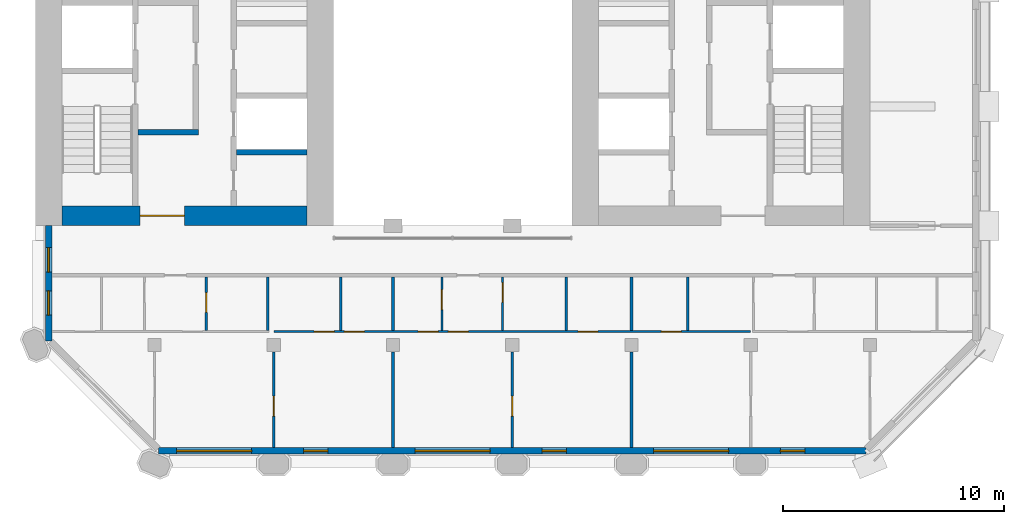
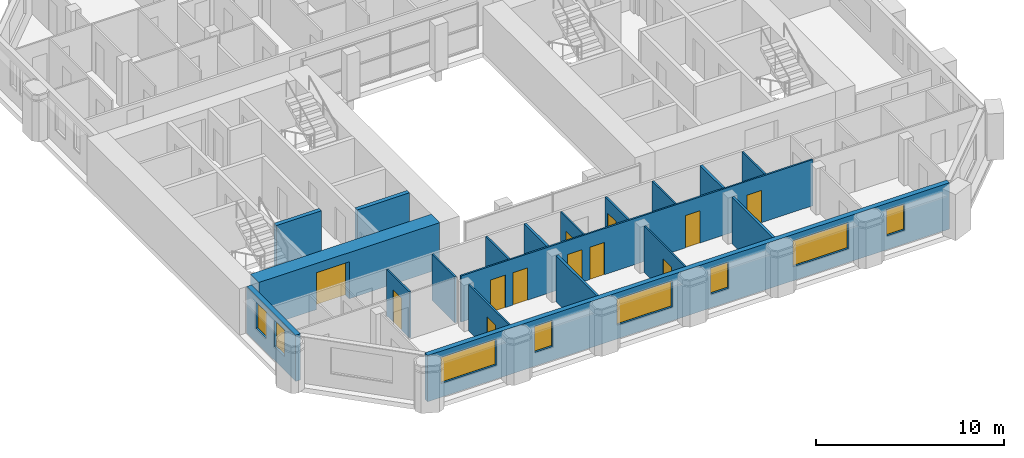
# One storey, part 4 of 13: 19 walls, 12 doors, 8 windows, 20 openings.
"""IFC4 building model written with IfcOpenShell, lengths in metres."""

from ifc_helpers import new_model, si_unit, direction, frame, frame_2d, origin, place, context, subcontext, project, spatial, rectangle, extrude, material, layer, layer_set, type_object, element, fill, save


model = new_model("IFC4")

# Units and contexts
model_context = context("Model", 3, precision=1e-05, world=origin(), true_north=direction((0.0, 1.0)))
body_context = subcontext(model_context, "Body", "Model", "MODEL_VIEW")
ifc_project = project(units=[si_unit("LENGTHUNIT", "METRE"), si_unit("AREAUNIT", "SQUARE_METRE"), si_unit("VOLUMEUNIT", "CUBIC_METRE"), si_unit("PLANEANGLEUNIT", "RADIAN"), si_unit("MASSUNIT", "GRAM", prefix="KILO")], contexts=[model_context])

# Site, building, storey
site_placement = place(None, origin())
site = spatial("IfcSite", under=ifc_project, at=site_placement, CompositionType="ELEMENT")
building_placement = place(site_placement, origin())
building = spatial("IfcBuilding", under=site, at=building_placement, Name="Tabaq Tower and Sports Hall", CompositionType="ELEMENT")
storey_placement = place(building_placement, frame((0.0, 0.0, 295.0)))
storey = spatial("IfcBuildingStorey", under=building, at=storey_placement, Name="L73", CompositionType="ELEMENT", Elevation=295.0)

# Wall, opening, door
ifc_material_1 = material(Name="Concrete C40/50", Category="concrete")
ifc_layer_1 = layer(ifc_material_1, 0.89990234375)
ifc_layer_set_1 = layer_set([ifc_layer_1], Name="Core wall 900 Concrete C40/50")
wall_type_1 = type_object("IfcWallType", Name="Core wall 900 Concrete C40/50", PredefinedType="SOLIDWALL", material=ifc_layer_set_1)
wall_1_placement = place(storey_placement, frame((17.699951171875, 16.64990234375, 0.0), z_axis=(0.0, 0.0, 1.0), x_axis=(-1.0, 0.0, 0.0)))
wall_1 = element("IfcWall", 1, at=wall_1_placement, inside=storey, type_object=wall_type_1, Name="Core wall W L73", PredefinedType="SOLIDWALL", context=body_context, shape_type="SweptSolid", body=[
    extrude(rectangle(XDim=11.099853515625, YDim=0.89990234375, at=frame_2d((5.5498046875, 0.0))), origin(), (0.0, 0.0, 1.0), 3.0),
])
opening_1_placement = place(wall_1_placement, frame((5.550048828125, 0.0, 0.0)))
opening_1 = element("IfcOpeningElement", 2, at=opening_1_placement, cuts=wall_1, Name="Opening PD-WL73-01", PredefinedType="OPENING", context=body_context, shape_type="SweptSolid", body=[
    extrude(rectangle(XDim=2.0, YDim=2.39990234375, at=frame_2d((1.0, 1.199951171875))), frame((0.0, 0.449951171875, 0.0), z_axis=(0.0, -1.0, 0.0), x_axis=(1.0, 0.0, 0.0)), (0.0, 0.0, 1.0), 0.89990234375),
])
ifc_material_2 = material(Name="Steel fire door", Category="steel")
door_type_1 = type_object("IfcDoorType", Name="Core entrance door 2000", OperationType="DOUBLE_DOOR_SINGLE_SWING", PredefinedType="DOOR", material=ifc_material_2)
door_1_placement = place(opening_1_placement, origin())
door_1 = element("IfcDoor", 3, at=door_1_placement, inside=storey, type_object=door_type_1, Name="Core entrance south W L73", OperationType="DOUBLE_DOOR_SINGLE_SWING", OverallHeight=2.39990234375, OverallWidth=2.0, PredefinedType="DOOR", context=body_context, shape_type="SweptSolid", body=[
    extrude(rectangle(XDim=2.0, YDim=2.39990234375, at=frame_2d((1.0, 1.199951171875))), frame((0.0, 0.02490234375, 0.0), z_axis=(0.0, -1.0, 0.0), x_axis=(1.0, 0.0, 0.0)), (0.0, 0.0, 1.0), 0.050048828125),
])
fill(opening_1, door_1)

ifc_material_3 = material(Name="Gypsum board on steel studs", Category="steel")
ifc_layer_2 = layer(ifc_material_3, 0.10009765625)
ifc_layer_set_2 = layer_set([ifc_layer_2], Name="Partition 100 Gypsum board")
wall_type_2 = type_object("IfcWallType", Name="Partition 100 Gypsum board", PredefinedType="PARTITIONING", material=ifc_layer_set_2)
wall_2_placement = place(storey_placement, frame((16.199951171875, 6.15087890625, 0.0), z_axis=(0.0, 0.0, 1.0), x_axis=(0.0, 1.0, 0.0)))
wall_2 = element("IfcWall", 4, at=wall_2_placement, inside=storey, type_object=wall_type_2, Name="Partition wall L73", PredefinedType="PARTITIONING", context=body_context, shape_type="SweptSolid", body=[
    extrude(rectangle(XDim=4.3291015625, YDim=0.10009765625, at=frame_2d((2.16455078125, 0.0))), origin(), (0.0, 0.0, 1.0), 3.0),
])
opening_2_placement = place(wall_2_placement, frame((1.424072265625, 0.0, 0.0)))
opening_2 = element("IfcOpeningElement", 5, at=opening_2_placement, cuts=wall_2, Name="Opening L73-056", PredefinedType="OPENING", context=body_context, shape_type="SweptSolid", body=[
    extrude(rectangle(XDim=0.89990234375, YDim=2.10009765625, at=frame_2d((0.449951171875, 1.050048828125))), frame((0.0, 0.050048828125, 0.0), z_axis=(0.0, -1.0, 0.0), x_axis=(1.0, 0.0, 0.0)), (0.0, 0.0, 1.0), 0.10009765625),
])
ifc_material_4 = material(Name="Timber leaf in steel frame", Category="steel")
door_type_2 = type_object("IfcDoorType", Name="Internal door 900 left hand", OperationType="SINGLE_SWING_LEFT", PredefinedType="DOOR", material=ifc_material_4)
door_2_placement = place(opening_2_placement, origin())
door_2 = element("IfcDoor", 6, at=door_2_placement, inside=storey, type_object=door_type_2, Name="Internal door L73-056", OperationType="SINGLE_SWING_LEFT", OverallHeight=2.10009765625, OverallWidth=0.89990234375, PredefinedType="DOOR", context=body_context, shape_type="SweptSolid", body=[
    extrude(rectangle(XDim=0.89990234375, YDim=2.10009765625, at=frame_2d((0.449951171875, 1.050048828125))), frame((0.0, 0.02490234375, 0.0), z_axis=(0.0, -1.0, 0.0), x_axis=(1.0, 0.0, 0.0)), (0.0, 0.0, 1.0), 0.050048828125),
])
fill(opening_2, door_2)

# Wall, openings, doors
wall_3_placement = place(storey_placement, frame((37.800048828125, 11.39990234375, 0.0), z_axis=(0.0, 0.0, 1.0), x_axis=(-1.0, 0.0, 0.0)))
wall_3 = element("IfcWall", 7, at=wall_3_placement, inside=storey, type_object=wall_type_2, Name="Partition wall L73", PredefinedType="PARTITIONING", context=body_context, shape_type="SweptSolid", body=[
    extrude(rectangle(XDim=21.60009765625, YDim=0.10009765625, at=frame_2d((10.800048828125, 0.0))), origin(), (0.0, 0.0, 1.0), 3.0),
])
opening_3_placement = place(wall_3_placement, frame((18.8701171875, 0.0, 0.0)))
opening_3 = element("IfcOpeningElement", 8, at=opening_3_placement, cuts=wall_3, Name="Opening L73-019", PredefinedType="OPENING", context=body_context, shape_type="SweptSolid", body=[
    extrude(rectangle(XDim=0.89990234375, YDim=2.10009765625, at=frame_2d((0.449951171875, 1.050048828125))), frame((0.0, 0.050048828125, 0.0), z_axis=(0.0, -1.0, 0.0), x_axis=(1.0, 0.0, 0.0)), (0.0, 0.0, 1.0), 0.10009765625),
])
opening_4_placement = place(wall_3_placement, frame((17.5, 0.0, 0.0)))
opening_4 = element("IfcOpeningElement", 9, at=opening_4_placement, cuts=wall_3, Name="Opening L73-020", PredefinedType="OPENING", context=body_context, shape_type="SweptSolid", body=[
    extrude(rectangle(XDim=0.89990234375, YDim=2.10009765625, at=frame_2d((0.449951171875, 1.050048828125))), frame((0.0, 0.050048828125, 0.0), z_axis=(0.0, -1.0, 0.0), x_axis=(1.0, 0.0, 0.0)), (0.0, 0.0, 1.0), 0.10009765625),
])
opening_5_placement = place(wall_3_placement, frame((6.916748046875, 0.0, 0.0)))
opening_5 = element("IfcOpeningElement", 10, at=opening_5_placement, cuts=wall_3, Name="Opening L73-023", PredefinedType="OPENING", context=body_context, shape_type="SweptSolid", body=[
    extrude(rectangle(XDim=0.89990234375, YDim=2.10009765625, at=frame_2d((0.449951171875, 1.050048828125))), frame((0.0, 0.050048828125, 0.0), z_axis=(0.0, -1.0, 0.0), x_axis=(1.0, 0.0, 0.0)), (0.0, 0.0, 1.0), 0.10009765625),
])
opening_6_placement = place(wall_3_placement, frame((3.14990234375, 0.0, 0.0)))
opening_6 = element("IfcOpeningElement", 11, at=opening_6_placement, cuts=wall_3, Name="Opening L73-025", PredefinedType="OPENING", context=body_context, shape_type="SweptSolid", body=[
    extrude(rectangle(XDim=0.89990234375, YDim=2.10009765625, at=frame_2d((0.449951171875, 1.050048828125))), frame((0.0, 0.050048828125, 0.0), z_axis=(0.0, -1.0, 0.0), x_axis=(1.0, 0.0, 0.0)), (0.0, 0.0, 1.0), 0.10009765625),
])
opening_7_placement = place(wall_3_placement, frame((14.157958984375, 0.0, 0.0)))
opening_7 = element("IfcOpeningElement", 12, at=opening_7_placement, cuts=wall_3, Name="Opening L73-049", PredefinedType="OPENING", context=body_context, shape_type="SweptSolid", body=[
    extrude(rectangle(XDim=0.89990234375, YDim=2.10009765625, at=frame_2d((0.449951171875, 1.050048828125))), frame((0.0, 0.050048828125, 0.0), z_axis=(0.0, -1.0, 0.0), x_axis=(1.0, 0.0, 0.0)), (0.0, 0.0, 1.0), 0.10009765625),
])
opening_8_placement = place(wall_3_placement, frame((12.7880859375, 0.0, 0.0)))
opening_8 = element("IfcOpeningElement", 13, at=opening_8_placement, cuts=wall_3, Name="Opening L73-058", PredefinedType="OPENING", context=body_context, shape_type="SweptSolid", body=[
    extrude(rectangle(XDim=0.89990234375, YDim=2.10009765625, at=frame_2d((0.449951171875, 1.050048828125))), frame((0.0, 0.050048828125, 0.0), z_axis=(0.0, -1.0, 0.0), x_axis=(1.0, 0.0, 0.0)), (0.0, 0.0, 1.0), 0.10009765625),
])
door_3_placement = place(opening_3_placement, origin())
door_3 = element("IfcDoor", 14, at=door_3_placement, inside=storey, type_object=door_type_2, Name="Internal door L73-019", OperationType="SINGLE_SWING_LEFT", OverallHeight=2.10009765625, OverallWidth=0.89990234375, PredefinedType="DOOR", context=body_context, shape_type="SweptSolid", body=[
    extrude(rectangle(XDim=0.89990234375, YDim=2.10009765625, at=frame_2d((0.449951171875, 1.050048828125))), frame((0.0, 0.02490234375, 0.0), z_axis=(0.0, -1.0, 0.0), x_axis=(1.0, 0.0, 0.0)), (0.0, 0.0, 1.0), 0.050048828125),
])
fill(opening_3, door_3)
door_4_placement = place(opening_5_placement, origin())
door_4 = element("IfcDoor", 15, at=door_4_placement, inside=storey, type_object=door_type_2, Name="Internal door L73-023", OperationType="SINGLE_SWING_LEFT", OverallHeight=2.10009765625, OverallWidth=0.89990234375, PredefinedType="DOOR", context=body_context, shape_type="SweptSolid", body=[
    extrude(rectangle(XDim=0.89990234375, YDim=2.10009765625, at=frame_2d((0.449951171875, 1.050048828125))), frame((0.0, 0.02490234375, 0.0), z_axis=(0.0, -1.0, 0.0), x_axis=(1.0, 0.0, 0.0)), (0.0, 0.0, 1.0), 0.050048828125),
])
fill(opening_5, door_4)
door_5_placement = place(opening_8_placement, origin())
door_5 = element("IfcDoor", 16, at=door_5_placement, inside=storey, type_object=door_type_2, Name="Internal door L73-058", OperationType="SINGLE_SWING_LEFT", OverallHeight=2.10009765625, OverallWidth=0.89990234375, PredefinedType="DOOR", context=body_context, shape_type="SweptSolid", body=[
    extrude(rectangle(XDim=0.89990234375, YDim=2.10009765625, at=frame_2d((0.449951171875, 1.050048828125))), frame((0.0, 0.02490234375, 0.0), z_axis=(0.0, -1.0, 0.0), x_axis=(1.0, 0.0, 0.0)), (0.0, 0.0, 1.0), 0.050048828125),
])
fill(opening_8, door_5)
ifc_material_5 = material(Name="Timber leaf in steel frame", Category="steel")
door_type_3 = type_object("IfcDoorType", Name="Internal door 900 right hand", OperationType="SINGLE_SWING_RIGHT", PredefinedType="DOOR", material=ifc_material_5)
door_6_placement = place(opening_4_placement, origin())
door_6 = element("IfcDoor", 17, at=door_6_placement, inside=storey, type_object=door_type_3, Name="Internal door L73-020", OperationType="SINGLE_SWING_RIGHT", OverallHeight=2.10009765625, OverallWidth=0.89990234375, PredefinedType="DOOR", context=body_context, shape_type="SweptSolid", body=[
    extrude(rectangle(XDim=0.89990234375, YDim=2.10009765625, at=frame_2d((0.449951171875, 1.050048828125))), frame((0.0, 0.02490234375, 0.0), z_axis=(0.0, -1.0, 0.0), x_axis=(1.0, 0.0, 0.0)), (0.0, 0.0, 1.0), 0.050048828125),
])
fill(opening_4, door_6)
door_7_placement = place(opening_6_placement, origin())
door_7 = element("IfcDoor", 18, at=door_7_placement, inside=storey, type_object=door_type_3, Name="Internal door L73-025", OperationType="SINGLE_SWING_RIGHT", OverallHeight=2.10009765625, OverallWidth=0.89990234375, PredefinedType="DOOR", context=body_context, shape_type="SweptSolid", body=[
    extrude(rectangle(XDim=0.89990234375, YDim=2.10009765625, at=frame_2d((0.449951171875, 1.050048828125))), frame((0.0, 0.02490234375, 0.0), z_axis=(0.0, -1.0, 0.0), x_axis=(1.0, 0.0, 0.0)), (0.0, 0.0, 1.0), 0.050048828125),
])
fill(opening_6, door_7)
door_8_placement = place(opening_7_placement, origin())
door_8 = element("IfcDoor", 19, at=door_8_placement, inside=storey, type_object=door_type_3, Name="Internal door L73-049", OperationType="SINGLE_SWING_RIGHT", OverallHeight=2.10009765625, OverallWidth=0.89990234375, PredefinedType="DOOR", context=body_context, shape_type="SweptSolid", body=[
    extrude(rectangle(XDim=0.89990234375, YDim=2.10009765625, at=frame_2d((0.449951171875, 1.050048828125))), frame((0.0, 0.02490234375, 0.0), z_axis=(0.0, -1.0, 0.0), x_axis=(1.0, 0.0, 0.0)), (0.0, 0.0, 1.0), 0.050048828125),
])
fill(opening_7, door_8)

# Wall, opening, door
wall_4_placement = place(storey_placement, frame((13.139892578125, 11.449951171875, 0.0), z_axis=(0.0, 0.0, 1.0), x_axis=(0.0, 1.0, 0.0)))
wall_4 = element("IfcWall", 20, at=wall_4_placement, inside=storey, type_object=wall_type_2, Name="Partition wall L73", PredefinedType="PARTITIONING", context=body_context, shape_type="SweptSolid", body=[
    extrude(rectangle(XDim=2.425048828125, YDim=0.10009765625, at=frame_2d((1.21240234375, 0.0))), origin(), (0.0, 0.0, 1.0), 3.0),
])
opening_9_placement = place(wall_4_placement, frame((0.819091796875, 0.0, 0.0)))
opening_9 = element("IfcOpeningElement", 21, at=opening_9_placement, cuts=wall_4, Name="Opening L73-022", PredefinedType="OPENING", context=body_context, shape_type="SweptSolid", body=[
    extrude(rectangle(XDim=0.89990234375, YDim=2.10009765625, at=frame_2d((0.449951171875, 1.050048828125))), frame((0.0, 0.050048828125, 0.0), z_axis=(0.0, -1.0, 0.0), x_axis=(1.0, 0.0, 0.0)), (0.0, 0.0, 1.0), 0.10009765625),
])
door_9_placement = place(opening_9_placement, origin())
door_9 = element("IfcDoor", 22, at=door_9_placement, inside=storey, type_object=door_type_2, Name="Internal door L73-022", OperationType="SINGLE_SWING_LEFT", OverallHeight=2.10009765625, OverallWidth=0.89990234375, PredefinedType="DOOR", context=body_context, shape_type="SweptSolid", body=[
    extrude(rectangle(XDim=0.89990234375, YDim=2.10009765625, at=frame_2d((0.449951171875, 1.050048828125))), frame((0.0, 0.02490234375, 0.0), z_axis=(0.0, -1.0, 0.0), x_axis=(1.0, 0.0, 0.0)), (0.0, 0.0, 1.0), 0.050048828125),
])
fill(opening_9, door_9)

# Walls
for number, where, z_axis, x_axis, name in (
    (23, (15.929931640625, 11.449951171875, 0.0), (0.0, 0.0, 1.0), (0.0, 1.0, 0.0), "Partition wall L73"),
    (24, (19.22998046875, 11.449951171875, 0.0), (0.0, 0.0, 1.0), (0.0, 1.0, 0.0), "Partition wall L73"),
):
    element("IfcWall", number, at=place(storey_placement, frame(where, z_axis=z_axis, x_axis=x_axis)), inside=storey, type_object=wall_type_2, Name=name, PredefinedType="PARTITIONING", context=body_context, shape_type="SweptSolid", body=[
        extrude(rectangle(XDim=2.425048828125, YDim=0.10009765625, at=frame_2d((1.21240234375, 0.0))), origin(), (0.0, 0.0, 1.0), 3.0),
    ])

# Wall, opening, door
wall_5_placement = place(storey_placement, frame((27.0, 6.15087890625, 0.0), z_axis=(0.0, 0.0, 1.0), x_axis=(0.0, 1.0, 0.0)))
wall_5 = element("IfcWall", 25, at=wall_5_placement, inside=storey, type_object=wall_type_2, Name="Partition wall L73", PredefinedType="PARTITIONING", context=body_context, shape_type="SweptSolid", body=[
    extrude(rectangle(XDim=4.3291015625, YDim=0.10009765625, at=frame_2d((2.16455078125, 0.0))), origin(), (0.0, 0.0, 1.0), 3.0),
])
opening_10_placement = place(wall_5_placement, frame((1.424072265625, 0.0, 0.0)))
opening_10 = element("IfcOpeningElement", 26, at=opening_10_placement, cuts=wall_5, Name="Opening L73-048", PredefinedType="OPENING", context=body_context, shape_type="SweptSolid", body=[
    extrude(rectangle(XDim=0.89990234375, YDim=2.10009765625, at=frame_2d((0.449951171875, 1.050048828125))), frame((0.0, 0.050048828125, 0.0), z_axis=(0.0, -1.0, 0.0), x_axis=(1.0, 0.0, 0.0)), (0.0, 0.0, 1.0), 0.10009765625),
])
door_10_placement = place(opening_10_placement, origin())
door_10 = element("IfcDoor", 27, at=door_10_placement, inside=storey, type_object=door_type_3, Name="Internal door L73-048", OperationType="SINGLE_SWING_RIGHT", OverallHeight=2.10009765625, OverallWidth=0.89990234375, PredefinedType="DOOR", context=body_context, shape_type="SweptSolid", body=[
    extrude(rectangle(XDim=0.89990234375, YDim=2.10009765625, at=frame_2d((0.449951171875, 1.050048828125))), frame((0.0, 0.02490234375, 0.0), z_axis=(0.0, -1.0, 0.0), x_axis=(1.0, 0.0, 0.0)), (0.0, 0.0, 1.0), 0.050048828125),
])
fill(opening_10, door_10)

wall_6_placement = place(storey_placement, frame((23.81201171875, 11.449951171875, 0.0), z_axis=(0.0, 0.0, 1.0), x_axis=(0.0, 1.0, 0.0)))
wall_6 = element("IfcWall", 28, at=wall_6_placement, inside=storey, type_object=wall_type_2, Name="Partition wall L73", PredefinedType="PARTITIONING", context=body_context, shape_type="SweptSolid", body=[
    extrude(rectangle(XDim=2.425048828125, YDim=0.10009765625, at=frame_2d((1.21240234375, 0.0))), origin(), (0.0, 0.0, 1.0), 3.0),
])
opening_11_placement = place(wall_6_placement, frame((0.949951171875, 0.0, 0.0)))
opening_11 = element("IfcOpeningElement", 29, at=opening_11_placement, cuts=wall_6, Name="Opening L73-050", PredefinedType="OPENING", context=body_context, shape_type="SweptSolid", body=[
    extrude(rectangle(XDim=0.89990234375, YDim=2.10009765625, at=frame_2d((0.449951171875, 1.050048828125))), frame((0.0, 0.050048828125, 0.0), z_axis=(0.0, -1.0, 0.0), x_axis=(1.0, 0.0, 0.0)), (0.0, 0.0, 1.0), 0.10009765625),
])
door_11_placement = place(opening_11_placement, origin())
door_11 = element("IfcDoor", 30, at=door_11_placement, inside=storey, type_object=door_type_2, Name="Internal door L73-050", OperationType="SINGLE_SWING_LEFT", OverallHeight=2.10009765625, OverallWidth=0.89990234375, PredefinedType="DOOR", context=body_context, shape_type="SweptSolid", body=[
    extrude(rectangle(XDim=0.89990234375, YDim=2.10009765625, at=frame_2d((0.449951171875, 1.050048828125))), frame((0.0, 0.02490234375, 0.0), z_axis=(0.0, -1.0, 0.0), x_axis=(1.0, 0.0, 0.0)), (0.0, 0.0, 1.0), 0.050048828125),
])
fill(opening_11, door_11)

wall_7_placement = place(storey_placement, frame((26.56201171875, 11.449951171875, 0.0), z_axis=(0.0, 0.0, 1.0), x_axis=(0.0, 1.0, 0.0)))
wall_7 = element("IfcWall", 31, at=wall_7_placement, inside=storey, type_object=wall_type_2, Name="Partition wall L73", PredefinedType="PARTITIONING", context=body_context, shape_type="SweptSolid", body=[
    extrude(rectangle(XDim=2.425048828125, YDim=0.10009765625, at=frame_2d((1.21240234375, 0.0))), origin(), (0.0, 0.0, 1.0), 3.0),
])
opening_12_placement = place(wall_7_placement, frame((1.27490234375, 0.0, 0.0)))
opening_12 = element("IfcOpeningElement", 32, at=opening_12_placement, cuts=wall_7, Name="Opening L73-024", PredefinedType="OPENING", context=body_context, shape_type="SweptSolid", body=[
    extrude(rectangle(XDim=0.89990234375, YDim=2.10009765625, at=frame_2d((0.449951171875, 1.050048828125))), frame((0.0, 0.050048828125, 0.0), z_axis=(0.0, -1.0, 0.0), x_axis=(1.0, 0.0, 0.0)), (0.0, 0.0, 1.0), 0.10009765625),
])
door_12_placement = place(opening_12_placement, origin())
door_12 = element("IfcDoor", 33, at=door_12_placement, inside=storey, type_object=door_type_2, Name="Internal door L73-024", OperationType="SINGLE_SWING_LEFT", OverallHeight=2.10009765625, OverallWidth=0.89990234375, PredefinedType="DOOR", context=body_context, shape_type="SweptSolid", body=[
    extrude(rectangle(XDim=0.89990234375, YDim=2.10009765625, at=frame_2d((0.449951171875, 1.050048828125))), frame((0.0, 0.02490234375, 0.0), z_axis=(0.0, -1.0, 0.0), x_axis=(1.0, 0.0, 0.0)), (0.0, 0.0, 1.0), 0.050048828125),
])
fill(opening_12, door_12)

# Walls
for number, where, z_axis, x_axis, name in (
    (34, (29.449951171875, 11.449951171875, 0.0), (0.0, 0.0, 1.0), (0.0, 1.0, 0.0), "Partition wall L73"),
    (35, (34.949951171875, 11.449951171875, 0.0), (0.0, 0.0, 1.0), (0.0, 1.0, 0.0), "Partition wall L73"),
):
    element("IfcWall", number, at=place(storey_placement, frame(where, z_axis=z_axis, x_axis=x_axis)), inside=storey, type_object=wall_type_2, Name=name, PredefinedType="PARTITIONING", context=body_context, shape_type="SweptSolid", body=[
        extrude(rectangle(XDim=2.425048828125, YDim=0.10009765625, at=frame_2d((1.21240234375, 0.0))), origin(), (0.0, 0.0, 1.0), 3.0),
    ])
ifc_material_6 = material(Name="Blockwork", Category="masonry")
ifc_layer_3 = layer(ifc_material_6, 0.14990234375)
ifc_layer_set_3 = layer_set([ifc_layer_3], Name="Separating wall 150 Blockwork")
wall_type_3 = type_object("IfcWallType", Name="Separating wall 150 Blockwork", PredefinedType="PARTITIONING", material=ifc_layer_set_3)
wall_8_placement = place(storey_placement, frame((21.60009765625, 6.15087890625, 0.0), z_axis=(0.0, 0.0, 1.0), x_axis=(0.0, 1.0, 0.0)))
element("IfcWall", 36, at=wall_8_placement, inside=storey, type_object=wall_type_3, Name="Separating wall L73", PredefinedType="PARTITIONING", context=body_context, shape_type="SweptSolid", body=[
    extrude(rectangle(XDim=4.3291015625, YDim=0.14990234375, at=frame_2d((2.16455078125, 0.0))), origin(), (0.0, 0.0, 1.0), 3.0),
])
wall_9_placement = place(storey_placement, frame((21.60009765625, 11.449951171875, 0.0), z_axis=(0.0, 0.0, 1.0), x_axis=(0.0, 1.0, 0.0)))
element("IfcWall", 37, at=wall_9_placement, inside=storey, type_object=wall_type_3, Name="Separating wall L73", PredefinedType="PARTITIONING", context=body_context, shape_type="SweptSolid", body=[
    extrude(rectangle(XDim=2.425048828125, YDim=0.14990234375, at=frame_2d((1.21240234375, 0.0))), origin(), (0.0, 0.0, 1.0), 3.0),
])
wall_10_placement = place(storey_placement, frame((32.39990234375, 6.15087890625, 0.0), z_axis=(0.0, 0.0, 1.0), x_axis=(0.0, 1.0, 0.0)))
element("IfcWall", 38, at=wall_10_placement, inside=storey, type_object=wall_type_3, Name="Separating wall L73", PredefinedType="PARTITIONING", context=body_context, shape_type="SweptSolid", body=[
    extrude(rectangle(XDim=4.3291015625, YDim=0.14990234375, at=frame_2d((2.16455078125, 0.0))), origin(), (0.0, 0.0, 1.0), 3.0),
])
wall_11_placement = place(storey_placement, frame((32.39990234375, 11.449951171875, 0.0), z_axis=(0.0, 0.0, 1.0), x_axis=(0.0, 1.0, 0.0)))
element("IfcWall", 39, at=wall_11_placement, inside=storey, type_object=wall_type_3, Name="Separating wall L73", PredefinedType="PARTITIONING", context=body_context, shape_type="SweptSolid", body=[
    extrude(rectangle(XDim=2.425048828125, YDim=0.14990234375, at=frame_2d((1.21240234375, 0.0))), origin(), (0.0, 0.0, 1.0), 3.0),
])
ifc_material_7 = material(Name="Concrete C40/50", Category="concrete")
ifc_layer_4 = layer(ifc_material_7, 0.25)
ifc_layer_set_4 = layer_set([ifc_layer_4], Name="Shaft and stair wall 250 Concrete C40/50")
wall_type_4 = type_object("IfcWallType", Name="Shaft and stair wall 250 Concrete C40/50", PredefinedType="SOLIDWALL", material=ifc_layer_set_4)
wall_12_placement = place(storey_placement, frame((10.050048828125, 20.425048828125, 0.0), z_axis=(0.0, 0.0, 1.0), x_axis=(1.0, 0.0, 0.0)))
element("IfcWall", 40, at=wall_12_placement, inside=storey, type_object=wall_type_4, Name="Fire-fighting lobby wall W L73", PredefinedType="SOLIDWALL", context=body_context, shape_type="SweptSolid", body=[
    extrude(rectangle(XDim=2.75, YDim=0.25, at=frame_2d((1.375, 0.0))), origin(), (0.0, 0.0, 1.0), 3.0),
])
wall_13_placement = place(storey_placement, frame((14.5, 19.52490234375, 0.0), z_axis=(0.0, 0.0, 1.0), x_axis=(1.0, 0.0, 0.0)))
element("IfcWall", 41, at=wall_13_placement, inside=storey, type_object=wall_type_4, Name="Shaft wall W L73", PredefinedType="SOLIDWALL", context=body_context, shape_type="SweptSolid", body=[
    extrude(rectangle(XDim=3.199951171875, YDim=0.25, at=frame_2d((1.60009765625, 0.0))), origin(), (0.0, 0.0, 1.0), 3.0),
])

# Wall, openings, windows
ifc_material_8 = material(Name="White precast concrete C60/75", Category="concrete")
ifc_layer_5 = layer(ifc_material_8, 0.300048828125)
ifc_layer_set_5 = layer_set([ifc_layer_5], Name="White precast concrete C60/75 external wall 300")
wall_type_5 = type_object("IfcWallType", Name="White precast concrete C60/75 external wall 300", PredefinedType="SOLIDWALL", material=ifc_layer_set_5)
wall_14_placement = place(storey_placement, frame((10.986328125, 6.0, 0.0), z_axis=(0.0, 0.0, 1.0), x_axis=(1.0, 0.0, 0.0)))
wall_14 = element("IfcWall", 42, at=wall_14_placement, inside=storey, type_object=wall_type_5, Name="External Wall L73 S", PredefinedType="SOLIDWALL", context=body_context, shape_type="SweptSolid", body=[
    extrude(rectangle(XDim=32.02734375, YDim=0.300048828125, at=frame_2d((16.013671875, 0.0))), origin(), (0.0, 0.0, 1.0), 3.0),
])
opening_13_placement = place(wall_14_placement, frame((0.813720703125, 0.0, 0.89990234375)))
opening_13 = element("IfcOpeningElement", 43, at=opening_13_placement, cuts=wall_14, Name="Opening W1A", PredefinedType="OPENING", context=body_context, shape_type="SweptSolid", body=[
    extrude(rectangle(XDim=3.39990234375, YDim=1.699951171875, at=frame_2d((1.699951171875, 0.85009765625))), frame((0.0, 0.16015625, 0.0), z_axis=(0.0, -1.0, 0.0), x_axis=(1.0, 0.0, 0.0)), (0.0, 0.0, 1.0), 0.320068359375),
])
opening_14_placement = place(wall_14_placement, frame((6.563720703125, 0.0, 0.89990234375)))
opening_14 = element("IfcOpeningElement", 44, at=opening_14_placement, cuts=wall_14, Name="Opening W1B", PredefinedType="OPENING", context=body_context, shape_type="SweptSolid", body=[
    extrude(rectangle(XDim=1.10009765625, YDim=1.699951171875, at=frame_2d((0.550048828125, 0.85009765625))), frame((0.0, 0.16015625, 0.0), z_axis=(0.0, -1.0, 0.0), x_axis=(1.0, 0.0, 0.0)), (0.0, 0.0, 1.0), 0.320068359375),
])
opening_15_placement = place(wall_14_placement, frame((11.613525390625, 0.0, 0.89990234375)))
opening_15 = element("IfcOpeningElement", 45, at=opening_15_placement, cuts=wall_14, Name="Opening W1A", PredefinedType="OPENING", context=body_context, shape_type="SweptSolid", body=[
    extrude(rectangle(XDim=3.39990234375, YDim=1.699951171875, at=frame_2d((1.699951171875, 0.85009765625))), frame((0.0, 0.16015625, 0.0), z_axis=(0.0, -1.0, 0.0), x_axis=(1.0, 0.0, 0.0)), (0.0, 0.0, 1.0), 0.320068359375),
])
opening_16_placement = place(wall_14_placement, frame((17.363525390625, 0.0, 0.89990234375)))
opening_16 = element("IfcOpeningElement", 46, at=opening_16_placement, cuts=wall_14, Name="Opening W1B", PredefinedType="OPENING", context=body_context, shape_type="SweptSolid", body=[
    extrude(rectangle(XDim=1.10009765625, YDim=1.699951171875, at=frame_2d((0.550048828125, 0.85009765625))), frame((0.0, 0.16015625, 0.0), z_axis=(0.0, -1.0, 0.0), x_axis=(1.0, 0.0, 0.0)), (0.0, 0.0, 1.0), 0.320068359375),
])
opening_17_placement = place(wall_14_placement, frame((22.41357421875, 0.0, 0.89990234375)))
opening_17 = element("IfcOpeningElement", 47, at=opening_17_placement, cuts=wall_14, Name="Opening W1A", PredefinedType="OPENING", context=body_context, shape_type="SweptSolid", body=[
    extrude(rectangle(XDim=3.39990234375, YDim=1.699951171875, at=frame_2d((1.699951171875, 0.85009765625))), frame((0.0, 0.16015625, 0.0), z_axis=(0.0, -1.0, 0.0), x_axis=(1.0, 0.0, 0.0)), (0.0, 0.0, 1.0), 0.320068359375),
])
opening_18_placement = place(wall_14_placement, frame((28.16357421875, 0.0, 0.89990234375)))
opening_18 = element("IfcOpeningElement", 48, at=opening_18_placement, cuts=wall_14, Name="Opening W1B", PredefinedType="OPENING", context=body_context, shape_type="SweptSolid", body=[
    extrude(rectangle(XDim=1.10009765625, YDim=1.699951171875, at=frame_2d((0.550048828125, 0.85009765625))), frame((0.0, 0.16015625, 0.0), z_axis=(0.0, -1.0, 0.0), x_axis=(1.0, 0.0, 0.0)), (0.0, 0.0, 1.0), 0.320068359375),
])
ifc_material_9 = material(Name="Aluminium framed clear glazing", Category="aluminium")
window_type_1 = type_object("IfcWindowType", Name="Window W1A", PartitioningType="SINGLE_PANEL", PredefinedType="WINDOW", material=ifc_material_9)
window_1_placement = place(opening_13_placement, origin())
window_1 = element("IfcWindow", 49, at=window_1_placement, inside=storey, type_object=window_type_1, Name="Window W1A L73", OverallHeight=1.699951171875, OverallWidth=3.39990234375, PartitioningType="SINGLE_PANEL", PredefinedType="WINDOW", context=body_context, shape_type="SweptSolid", body=[
    extrude(rectangle(XDim=3.39990234375, YDim=1.699951171875, at=frame_2d((1.699951171875, 0.85009765625))), frame((0.0, 0.030029296875, 0.0), z_axis=(0.0, -1.0, 0.0), x_axis=(1.0, 0.0, 0.0)), (0.0, 0.0, 1.0), 0.06005859375),
])
fill(opening_13, window_1)
window_2_placement = place(opening_15_placement, origin())
window_2 = element("IfcWindow", 50, at=window_2_placement, inside=storey, type_object=window_type_1, Name="Window W1A L73", OverallHeight=1.699951171875, OverallWidth=3.39990234375, PartitioningType="SINGLE_PANEL", PredefinedType="WINDOW", context=body_context, shape_type="SweptSolid", body=[
    extrude(rectangle(XDim=3.39990234375, YDim=1.699951171875, at=frame_2d((1.699951171875, 0.85009765625))), frame((0.0, 0.030029296875, 0.0), z_axis=(0.0, -1.0, 0.0), x_axis=(1.0, 0.0, 0.0)), (0.0, 0.0, 1.0), 0.06005859375),
])
fill(opening_15, window_2)
window_3_placement = place(opening_17_placement, origin())
window_3 = element("IfcWindow", 51, at=window_3_placement, inside=storey, type_object=window_type_1, Name="Window W1A L73", OverallHeight=1.699951171875, OverallWidth=3.39990234375, PartitioningType="SINGLE_PANEL", PredefinedType="WINDOW", context=body_context, shape_type="SweptSolid", body=[
    extrude(rectangle(XDim=3.39990234375, YDim=1.699951171875, at=frame_2d((1.699951171875, 0.85009765625))), frame((0.0, 0.030029296875, 0.0), z_axis=(0.0, -1.0, 0.0), x_axis=(1.0, 0.0, 0.0)), (0.0, 0.0, 1.0), 0.06005859375),
])
fill(opening_17, window_3)
ifc_material_10 = material(Name="Aluminium framed clear glazing", Category="aluminium")
window_type_2 = type_object("IfcWindowType", Name="Window W1B", PartitioningType="SINGLE_PANEL", PredefinedType="WINDOW", material=ifc_material_10)
window_4_placement = place(opening_14_placement, origin())
window_4 = element("IfcWindow", 52, at=window_4_placement, inside=storey, type_object=window_type_2, Name="Window W1B L73", OverallHeight=1.699951171875, OverallWidth=1.10009765625, PartitioningType="SINGLE_PANEL", PredefinedType="WINDOW", context=body_context, shape_type="SweptSolid", body=[
    extrude(rectangle(XDim=1.10009765625, YDim=1.699951171875, at=frame_2d((0.550048828125, 0.85009765625))), frame((0.0, 0.030029296875, 0.0), z_axis=(0.0, -1.0, 0.0), x_axis=(1.0, 0.0, 0.0)), (0.0, 0.0, 1.0), 0.06005859375),
])
fill(opening_14, window_4)
window_5_placement = place(opening_16_placement, origin())
window_5 = element("IfcWindow", 53, at=window_5_placement, inside=storey, type_object=window_type_2, Name="Window W1B L73", OverallHeight=1.699951171875, OverallWidth=1.10009765625, PartitioningType="SINGLE_PANEL", PredefinedType="WINDOW", context=body_context, shape_type="SweptSolid", body=[
    extrude(rectangle(XDim=1.10009765625, YDim=1.699951171875, at=frame_2d((0.550048828125, 0.85009765625))), frame((0.0, 0.030029296875, 0.0), z_axis=(0.0, -1.0, 0.0), x_axis=(1.0, 0.0, 0.0)), (0.0, 0.0, 1.0), 0.06005859375),
])
fill(opening_16, window_5)
window_6_placement = place(opening_18_placement, origin())
window_6 = element("IfcWindow", 54, at=window_6_placement, inside=storey, type_object=window_type_2, Name="Window W1B L73", OverallHeight=1.699951171875, OverallWidth=1.10009765625, PartitioningType="SINGLE_PANEL", PredefinedType="WINDOW", context=body_context, shape_type="SweptSolid", body=[
    extrude(rectangle(XDim=1.10009765625, YDim=1.699951171875, at=frame_2d((0.550048828125, 0.85009765625))), frame((0.0, 0.030029296875, 0.0), z_axis=(0.0, -1.0, 0.0), x_axis=(1.0, 0.0, 0.0)), (0.0, 0.0, 1.0), 0.06005859375),
])
fill(opening_18, window_6)

wall_15_placement = place(storey_placement, frame((6.0, 16.199951171875, 0.0), z_axis=(0.0, 0.0, 1.0), x_axis=(0.0, -1.0, 0.0)))
wall_15 = element("IfcWall", 55, at=wall_15_placement, inside=storey, type_object=wall_type_5, Name="External Wall L73 W", PredefinedType="SOLIDWALL", context=body_context, shape_type="SweptSolid", body=[
    extrude(rectangle(XDim=5.213623046875, YDim=0.300048828125, at=frame_2d((2.60693359375, 0.0))), origin(), (0.0, 0.0, 1.0), 3.0),
])
opening_19_placement = place(wall_15_placement, frame((1.0, 0.0, 0.89990234375)))
opening_19 = element("IfcOpeningElement", 56, at=opening_19_placement, cuts=wall_15, Name="Opening W1B", PredefinedType="OPENING", context=body_context, shape_type="SweptSolid", body=[
    extrude(rectangle(XDim=1.10009765625, YDim=1.699951171875, at=frame_2d((0.550048828125, 0.85009765625))), frame((0.0, 0.16015625, 0.0), z_axis=(0.0, -1.0, 0.0), x_axis=(1.0, 0.0, 0.0)), (0.0, 0.0, 1.0), 0.320068359375),
])
opening_20_placement = place(wall_15_placement, frame((2.949951171875, 0.0, 0.89990234375)))
opening_20 = element("IfcOpeningElement", 57, at=opening_20_placement, cuts=wall_15, Name="Opening W1B", PredefinedType="OPENING", context=body_context, shape_type="SweptSolid", body=[
    extrude(rectangle(XDim=1.10009765625, YDim=1.699951171875, at=frame_2d((0.550048828125, 0.85009765625))), frame((0.0, 0.16015625, 0.0), z_axis=(0.0, -1.0, 0.0), x_axis=(1.0, 0.0, 0.0)), (0.0, 0.0, 1.0), 0.320068359375),
])
window_7_placement = place(opening_19_placement, origin())
window_7 = element("IfcWindow", 58, at=window_7_placement, inside=storey, type_object=window_type_2, Name="Window W1B L73", OverallHeight=1.699951171875, OverallWidth=1.10009765625, PartitioningType="SINGLE_PANEL", PredefinedType="WINDOW", context=body_context, shape_type="SweptSolid", body=[
    extrude(rectangle(XDim=1.10009765625, YDim=1.699951171875, at=frame_2d((0.550048828125, 0.85009765625))), frame((0.0, 0.030029296875, 0.0), z_axis=(0.0, -1.0, 0.0), x_axis=(1.0, 0.0, 0.0)), (0.0, 0.0, 1.0), 0.06005859375),
])
fill(opening_19, window_7)
window_8_placement = place(opening_20_placement, origin())
window_8 = element("IfcWindow", 59, at=window_8_placement, inside=storey, type_object=window_type_2, Name="Window W1B L73", OverallHeight=1.699951171875, OverallWidth=1.10009765625, PartitioningType="SINGLE_PANEL", PredefinedType="WINDOW", context=body_context, shape_type="SweptSolid", body=[
    extrude(rectangle(XDim=1.10009765625, YDim=1.699951171875, at=frame_2d((0.550048828125, 0.85009765625))), frame((0.0, 0.030029296875, 0.0), z_axis=(0.0, -1.0, 0.0), x_axis=(1.0, 0.0, 0.0)), (0.0, 0.0, 1.0), 0.06005859375),
])
fill(opening_20, window_8)

save(model, "model.ifc")
